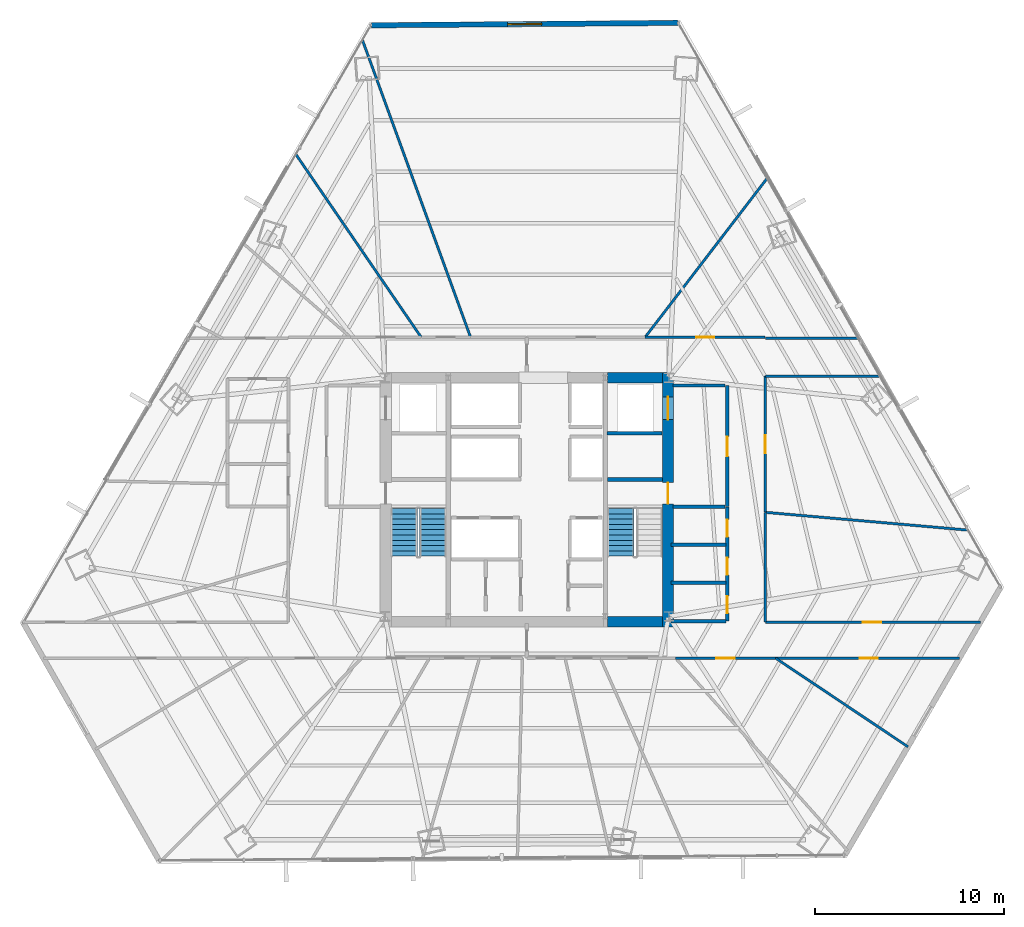
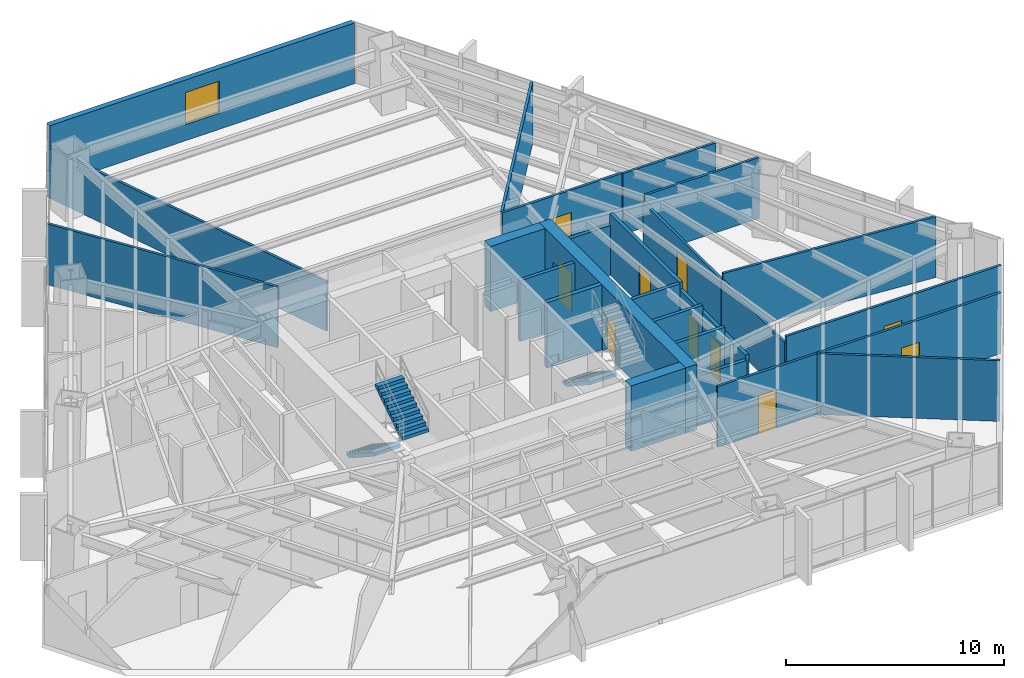
# One storey, part 32 of 36: 26 walls, 11 doors, 3 stair flights, 1 window, 12 openings, 2 elements without a shape of their own.
"""IFC4 building model written with IfcOpenShell, lengths in metres."""

from ifc_helpers import new_model, si_unit, direction, frame, frame_2d, origin, place, context, subcontext, project, spatial, polyline, rectangle, outline, extrude, material, layer, layer_set, type_object, element, fill, aggregate, save


model = new_model("IFC4")

# Units and contexts
model_context = context("Model", 3, precision=1e-05, world=origin(), true_north=direction((0.0, 1.0)))
body_context = subcontext(model_context, "Body", "Model", "MODEL_VIEW")
ifc_project = project(units=[si_unit("LENGTHUNIT", "METRE"), si_unit("AREAUNIT", "SQUARE_METRE"), si_unit("VOLUMEUNIT", "CUBIC_METRE"), si_unit("PLANEANGLEUNIT", "RADIAN"), si_unit("MASSUNIT", "GRAM", prefix="KILO")], contexts=[model_context])

# Site, building, storey
site_placement = place(None, origin())
site = spatial("IfcSite", under=ifc_project, at=site_placement, CompositionType="ELEMENT")
building_placement = place(site_placement, origin())
building = spatial("IfcBuilding", under=site, at=building_placement, Name="Caelisora Broadcast Tower", CompositionType="ELEMENT")
storey_placement = place(building_placement, frame((0.0, 0.0, 64.10009765625)))
storey = spatial("IfcBuildingStorey", under=building, at=storey_placement, Name="L16", CompositionType="ELEMENT", Elevation=64.10009765625)

# Wall, openings, doors
ifc_material_1 = material(Name="Concrete 65 MPa (AS 3600 S65)", Category="concrete")
ifc_layer_1 = layer(ifc_material_1, 0.60009765625, Name="Concrete 65 MPa (AS 3600 S65)")
ifc_layer_set_1 = layer_set([ifc_layer_1], Name="Concrete 65 MPa (AS 3600 S65)")
wall_type_1 = type_object("IfcWallType", Name="CW1", PredefinedType="SHEAR", material=ifc_layer_set_1)
wall_1_placement = place(storey_placement, frame((45.4599609375, 16.85009765625, 0.0), z_axis=(0.0, 0.0, 1.0), x_axis=(0.0, 1.0, 0.0)))
wall_1 = element("IfcWall", 1, at=wall_1_placement, inside=storey, type_object=wall_type_1, Name="L16 core shear wall CW1", PredefinedType="SHEAR", context=body_context, shape_type="SweptSolid", body=[
    extrude(rectangle(XDim=13.4248046875, YDim=0.60009765625, at=frame_2d((6.71240234375, 0.0))), origin(), (0.0, 0.0, 1.0), 3.64990234375),
])
opening_1_placement = place(wall_1_placement, frame((6.5, 0.0, 0.0)))
opening_1 = element("IfcOpeningElement", 2, at=opening_1_placement, cuts=wall_1, Name="Opening FD04", PredefinedType="OPENING", context=body_context, shape_type="SweptSolid", body=[
    extrude(rectangle(XDim=1.1201171875, YDim=2.14990234375, at=frame_2d((0.56005859375, 1.074951171875))), frame((0.0, 0.31201171875, 0.0), z_axis=(0.0, -1.0, 0.0), x_axis=(1.0, 0.0, 0.0)), (0.0, 0.0, 1.0), 0.6240234375),
])
opening_2_placement = place(wall_1_placement, frame((10.949951171875, 0.0, 0.0)))
opening_2 = element("IfcOpeningElement", 3, at=opening_2_placement, cuts=wall_1, Name="Opening LD04", PredefinedType="OPENING", context=body_context, shape_type="SweptSolid", body=[
    extrude(rectangle(XDim=1.199951171875, YDim=2.199951171875, at=frame_2d((0.60009765625, 1.10009765625))), frame((0.0, 0.31201171875, 0.0), z_axis=(0.0, -1.0, 0.0), x_axis=(1.0, 0.0, 0.0)), (0.0, 0.0, 1.0), 0.6240234375),
])
ifc_material_2 = material(Name="Pressurised Fire-Isolated Stair Door", Category="steel")
door_type_1 = type_object("IfcDoorType", Name="FD04", OperationType="NOTDEFINED", PredefinedType="DOOR", material=ifc_material_2)
door_1_placement = place(opening_1_placement, origin())
door_1 = element("IfcDoor", 4, at=door_1_placement, inside=storey, type_object=door_type_1, Name="L16 door FD04 (L16-DR-ST2)", OperationType="SINGLE_SWING_RIGHT", OverallHeight=2.14990234375, OverallWidth=1.1201171875, PredefinedType="DOOR", context=body_context, shape_type="SweptSolid", body=[
    extrude(rectangle(XDim=1.1201171875, YDim=2.14990234375, at=frame_2d((0.56005859375, 1.074951171875))), frame((0.0, 0.02490234375, 0.0), z_axis=(0.0, -1.0, 0.0), x_axis=(1.0, 0.0, 0.0)), (0.0, 0.0, 1.0), 0.050048828125),
])
fill(opening_1, door_1)
ifc_material_3 = material(Name="Emergency Firefighting Lift Sliding Landing Door", Category="steel")
door_type_2 = type_object("IfcDoorType", Name="LD04", OperationType="NOTDEFINED", PredefinedType="DOOR", material=ifc_material_3)
door_2_placement = place(opening_2_placement, origin())
door_2 = element("IfcDoor", 5, at=door_2_placement, inside=storey, type_object=door_type_2, Name="L16 door LD04 (L16-LD-FFL2)", OperationType="SLIDING_TO_RIGHT", OverallHeight=2.199951171875, OverallWidth=1.199951171875, PredefinedType="DOOR", context=body_context, shape_type="SweptSolid", body=[
    extrude(rectangle(XDim=1.199951171875, YDim=2.199951171875, at=frame_2d((0.60009765625, 1.10009765625))), frame((0.0, 0.02490234375, 0.0), z_axis=(0.0, -1.0, 0.0), x_axis=(1.0, 0.0, 0.0)), (0.0, 0.0, 1.0), 0.050048828125),
])
fill(opening_2, door_2)

# Walls
ifc_layer_2 = layer(ifc_material_1, 0.550048828125, Name="Concrete 65 MPa (AS 3600 S65)")
ifc_layer_set_2 = layer_set([ifc_layer_2], Name="Concrete 65 MPa (AS 3600 S65)")
wall_type_2 = type_object("IfcWallType", Name="CW4", PredefinedType="SHEAR", material=ifc_layer_set_2)
for number, where, z_axis, x_axis, name in (
    (6, (42.260009765625, 17.125, 0.0), (0.0, 0.0, 1.0), (1.0, 0.0, 0.0), "L16 core shear wall CW4"),
    (7, (42.260009765625, 30.0, 0.0), (0.0, 0.0, 1.0), (1.0, 0.0, 0.0), "L16 core shear wall CW4"),
):
    element("IfcWall", number, at=place(storey_placement, frame(where, z_axis=z_axis, x_axis=x_axis)), inside=storey, type_object=wall_type_2, Name=name, PredefinedType="SHEAR", context=body_context, shape_type="SweptSolid", body=[
        extrude(rectangle(XDim=2.89990234375, YDim=0.550048828125, at=frame_2d((1.449951171875, 0.0))), origin(), (0.0, 0.0, 1.0), 3.64990234375),
    ])
ifc_material_4 = material(Name="Concrete 50 MPa (AS 3600 S50)", Category="concrete")
ifc_layer_3 = layer(ifc_material_4, 0.219970703125, Name="Concrete 50 MPa (AS 3600 S50)")
ifc_layer_set_3 = layer_set([ifc_layer_3], Name="Concrete 50 MPa (AS 3600 S50)")
wall_type_3 = type_object("IfcWallType", Name="CW7", PredefinedType="SHEAR", material=ifc_layer_set_3)
wall_2_placement = place(storey_placement, frame((42.260009765625, 24.639892578125, 0.0), z_axis=(0.0, 0.0, 1.0), x_axis=(1.0, 0.0, 0.0)))
element("IfcWall", 8, at=wall_2_placement, inside=storey, type_object=wall_type_3, Name="L16 core shear wall CW7", PredefinedType="SHEAR", context=body_context, shape_type="SweptSolid", body=[
    extrude(rectangle(XDim=2.89990234375, YDim=0.219970703125, at=frame_2d((1.449951171875, 0.0))), origin(), (0.0, 0.0, 1.0), 3.64990234375),
])

# Wall, opening, window
ifc_material_5 = material(Name="Insulated Terracotta Spandrel Wall System", Category="masonry")
ifc_layer_4 = layer(ifc_material_5, 0.280029296875, Name="Insulated Terracotta Spandrel Wall System")
ifc_layer_set_4 = layer_set([ifc_layer_4], Name="Insulated Terracotta Spandrel Wall System")
wall_type_4 = type_object("IfcWallType", Name="EW1", PredefinedType="STANDARD", material=ifc_layer_set_4)
wall_3_placement = place(storey_placement, frame((29.798095703125, 48.628173828125, 0.0), z_axis=(0.0, 0.0, 1.0), x_axis=(0.999968373243, 0.007953144877, 0.0)))
wall_3 = element("IfcWall", 9, at=wall_3_placement, inside=storey, type_object=wall_type_4, Name="L16 exterior envelope wall EW1", PredefinedType="STANDARD", context=body_context, shape_type="SweptSolid", body=[
    extrude(rectangle(XDim=16.177490234375, YDim=0.280029296875, at=frame_2d((8.0888671875, 0.0))), origin(), (0.0, 0.0, 1.0), 3.39990234375),
])
opening_3_placement = place(wall_3_placement, frame((7.18994140625, 0.0, 0.89990234375)))
opening_3 = element("IfcOpeningElement", 10, at=opening_3_placement, cuts=wall_3, Name="Opening W01", PredefinedType="OPENING", context=body_context, shape_type="SweptSolid", body=[
    extrude(rectangle(XDim=1.800048828125, YDim=1.800048828125, at=frame_2d((0.89990234375, 0.89990234375))), frame((0.0, 0.152099609375, 0.0), z_axis=(0.0, -1.0, 0.0), x_axis=(1.0, 0.0, 0.0)), (0.0, 0.0, 1.0), 0.303955078125),
])
ifc_material_6 = material(Name="Double Glazed Terracotta-Framed Vision Window", Category="glass")
window_type = type_object("IfcWindowType", Name="W01", PartitioningType="SINGLE_PANEL", PredefinedType="WINDOW", material=ifc_material_6)
window_placement = place(opening_3_placement, origin())
window = element("IfcWindow", 11, at=window_placement, inside=storey, type_object=window_type, Name="L16 window W01 (L16-WN-CH8)", OverallHeight=1.800048828125, OverallWidth=1.800048828125, PartitioningType="SINGLE_PANEL", PredefinedType="WINDOW", context=body_context, shape_type="SweptSolid", body=[
    extrude(rectangle(XDim=1.800048828125, YDim=1.800048828125, at=frame_2d((0.89990234375, 0.89990234375))), frame((0.0, 0.030029296875, 0.0), z_axis=(0.0, -1.0, 0.0), x_axis=(1.0, 0.0, 0.0)), (0.0, 0.0, 1.0), 0.06005859375),
])
fill(opening_3, window)

# Wall, opening, door
ifc_material_7 = material(Name="Fire-Rated Gypsum Shaft and Compartment Wall", Category="gypsum")
ifc_layer_5 = layer(ifc_material_7, 0.179931640625, Name="Fire-Rated Gypsum Shaft and Compartment Wall")
ifc_layer_set_5 = layer_set([ifc_layer_5], Name="Fire-Rated Gypsum Shaft and Compartment Wall")
wall_type_5 = type_object("IfcWallType", Name="PW2", PredefinedType="PARTITIONING", material=ifc_layer_set_5)
wall_4_placement = place(storey_placement, frame((48.580078125, 23.199951171875, 0.0), z_axis=(0.0, 0.0, 1.0), x_axis=(0.0, 1.0, 0.0)))
wall_4 = element("IfcWall", 12, at=wall_4_placement, inside=storey, type_object=wall_type_5, Name="L16 fire compartment wall PW2", PredefinedType="PARTITIONING", context=body_context, shape_type="SweptSolid", body=[
    extrude(rectangle(XDim=6.400146484375, YDim=0.179931640625, at=frame_2d((3.2001953125, 0.0))), origin(), (0.0, 0.0, 1.0), 3.39990234375),
])
opening_4_placement = place(wall_4_placement, frame((2.64990234375, 0.0, 0.0)))
opening_4 = element("IfcOpeningElement", 13, at=opening_4_placement, cuts=wall_4, Name="Opening FD02", PredefinedType="OPENING", context=body_context, shape_type="SweptSolid", body=[
    extrude(rectangle(XDim=1.050048828125, YDim=2.14990234375, at=frame_2d((0.52490234375, 1.074951171875))), frame((0.0, 0.10205078125, 0.0), z_axis=(0.0, -1.0, 0.0), x_axis=(1.0, 0.0, 0.0)), (0.0, 0.0, 1.0), 0.203857421875),
])
ifc_material_8 = material(Name="Single-Leaf Steel Fire Lobby Door", Category="steel")
door_type_3 = type_object("IfcDoorType", Name="FD02", OperationType="NOTDEFINED", PredefinedType="DOOR", material=ifc_material_8)
door_3_placement = place(opening_4_placement, origin())
door_3 = element("IfcDoor", 14, at=door_3_placement, inside=storey, type_object=door_type_3, Name="L16 door FD02 (L16-DR-P04D1)", OperationType="SINGLE_SWING_LEFT", OverallHeight=2.14990234375, OverallWidth=1.050048828125, PredefinedType="DOOR", context=body_context, shape_type="SweptSolid", body=[
    extrude(rectangle(XDim=1.050048828125, YDim=2.14990234375, at=frame_2d((0.52490234375, 1.074951171875))), frame((0.0, 0.02490234375, 0.0), z_axis=(0.0, -1.0, 0.0), x_axis=(1.0, 0.0, 0.0)), (0.0, 0.0, 1.0), 0.050048828125),
])
fill(opening_4, door_3)

# Walls
wall_5_placement = place(storey_placement, frame((45.719970703125, 23.199951171875, 0.0), z_axis=(0.0, 0.0, 1.0), x_axis=(1.0, 0.0, 0.0)))
element("IfcWall", 15, at=wall_5_placement, inside=storey, type_object=wall_type_5, Name="L16 fire compartment wall PW2", PredefinedType="PARTITIONING", context=body_context, shape_type="SweptSolid", body=[
    extrude(rectangle(XDim=2.760009765625, YDim=0.179931640625, at=frame_2d((1.3798828125, 0.0))), origin(), (0.0, 0.0, 1.0), 3.39990234375),
])
wall_6_placement = place(storey_placement, frame((45.719970703125, 29.60009765625, 0.0), z_axis=(0.0, 0.0, 1.0), x_axis=(1.0, 0.0, 0.0)))
element("IfcWall", 16, at=wall_6_placement, inside=storey, type_object=wall_type_5, Name="L16 fire compartment wall PW2", PredefinedType="PARTITIONING", context=body_context, shape_type="SweptSolid", body=[
    extrude(rectangle(XDim=2.760009765625, YDim=0.179931640625, at=frame_2d((1.3798828125, 0.0))), origin(), (0.0, 0.0, 1.0), 2.78271484375),
])
for number, where, z_axis, x_axis, name in (
    (17, (42.239990234375, 27.070068359375, 0.0), (0.0, 0.0, 1.0), (1.0, 0.0, 0.0), "L16 fire compartment wall PW2"),
    (18, (45.6201171875, 19.169921875, 0.0), (0.0, 0.0, 1.0), (1.0, 0.0, 0.0), "L16 fire compartment wall PW2"),
    (19, (45.6201171875, 21.18994140625, 0.0), (0.0, 0.0, 1.0), (1.0, 0.0, 0.0), "L16 fire compartment wall PW2"),
):
    element("IfcWall", number, at=place(storey_placement, frame(where, z_axis=z_axis, x_axis=x_axis)), inside=storey, type_object=wall_type_5, Name=name, PredefinedType="PARTITIONING", context=body_context, shape_type="SweptSolid", body=[
        extrude(rectangle(XDim=2.89990234375, YDim=0.179931640625, at=frame_2d((1.449951171875, 0.0))), origin(), (0.0, 0.0, 1.0), 3.39990234375),
    ])

# Wall, openings, doors
wall_7_placement = place(storey_placement, frame((48.580078125, 17.14990234375, 0.0), z_axis=(0.0, 0.0, 1.0), x_axis=(0.0, 1.0, 0.0)))
wall_7 = element("IfcWall", 20, at=wall_7_placement, inside=storey, type_object=wall_type_5, Name="L16 fire compartment wall PW2", PredefinedType="PARTITIONING", context=body_context, shape_type="SweptSolid", body=[
    extrude(rectangle(XDim=6.030029296875, YDim=0.179931640625, at=frame_2d((3.01513671875, 0.0))), origin(), (0.0, 0.0, 1.0), 3.0263671875),
])
opening_5_placement = place(wall_7_placement, frame((0.419921875, 0.0, 0.0)))
opening_5 = element("IfcOpeningElement", 21, at=opening_5_placement, cuts=wall_7, Name="Opening FD03", PredefinedType="OPENING", context=body_context, shape_type="SweptSolid", body=[
    extrude(rectangle(XDim=0.89990234375, YDim=2.10009765625, at=frame_2d((0.449951171875, 1.050048828125))), frame((0.0, 0.10205078125, 0.0), z_axis=(0.0, -1.0, 0.0), x_axis=(1.0, 0.0, 0.0)), (0.0, 0.0, 1.0), 0.203857421875),
])
opening_6_placement = place(wall_7_placement, frame((2.43994140625, 0.0, 0.0)))
opening_6 = element("IfcOpeningElement", 22, at=opening_6_placement, cuts=wall_7, Name="Opening FD03", PredefinedType="OPENING", context=body_context, shape_type="SweptSolid", body=[
    extrude(rectangle(XDim=0.89990234375, YDim=2.10009765625, at=frame_2d((0.449951171875, 1.050048828125))), frame((0.0, 0.10205078125, 0.0), z_axis=(0.0, -1.0, 0.0), x_axis=(1.0, 0.0, 0.0)), (0.0, 0.0, 1.0), 0.203857421875),
])
opening_7_placement = place(wall_7_placement, frame((4.4599609375, 0.0, 0.0)))
opening_7 = element("IfcOpeningElement", 23, at=opening_7_placement, cuts=wall_7, Name="Opening FD03", PredefinedType="OPENING", context=body_context, shape_type="SweptSolid", body=[
    extrude(rectangle(XDim=0.89990234375, YDim=2.10009765625, at=frame_2d((0.449951171875, 1.050048828125))), frame((0.0, 0.10205078125, 0.0), z_axis=(0.0, -1.0, 0.0), x_axis=(1.0, 0.0, 0.0)), (0.0, 0.0, 1.0), 0.203857421875),
])
ifc_material_9 = material(Name="Single-Leaf Steel Riser Fire Access Door", Category="steel")
door_type_4 = type_object("IfcDoorType", Name="FD03", OperationType="NOTDEFINED", PredefinedType="DOOR", material=ifc_material_9)
door_4_placement = place(opening_5_placement, origin())
door_4 = element("IfcDoor", 24, at=door_4_placement, inside=storey, type_object=door_type_4, Name="L16 door FD03 (L16-DR-P17D1)", OperationType="SINGLE_SWING_RIGHT", OverallHeight=2.10009765625, OverallWidth=0.89990234375, PredefinedType="DOOR", context=body_context, shape_type="SweptSolid", body=[
    extrude(rectangle(XDim=0.89990234375, YDim=2.10009765625, at=frame_2d((0.449951171875, 1.050048828125))), frame((0.0, 0.02490234375, 0.0), z_axis=(0.0, -1.0, 0.0), x_axis=(1.0, 0.0, 0.0)), (0.0, 0.0, 1.0), 0.050048828125),
])
fill(opening_5, door_4)
door_5_placement = place(opening_6_placement, origin())
door_5 = element("IfcDoor", 25, at=door_5_placement, inside=storey, type_object=door_type_4, Name="L16 door FD03 (L16-DR-P17D2)", OperationType="SINGLE_SWING_LEFT", OverallHeight=2.10009765625, OverallWidth=0.89990234375, PredefinedType="DOOR", context=body_context, shape_type="SweptSolid", body=[
    extrude(rectangle(XDim=0.89990234375, YDim=2.10009765625, at=frame_2d((0.449951171875, 1.050048828125))), frame((0.0, 0.02490234375, 0.0), z_axis=(0.0, -1.0, 0.0), x_axis=(1.0, 0.0, 0.0)), (0.0, 0.0, 1.0), 0.050048828125),
])
fill(opening_6, door_5)
door_6_placement = place(opening_7_placement, origin())
door_6 = element("IfcDoor", 26, at=door_6_placement, inside=storey, type_object=door_type_4, Name="L16 door FD03 (L16-DR-P17D3)", OperationType="SINGLE_SWING_RIGHT", OverallHeight=2.10009765625, OverallWidth=0.89990234375, PredefinedType="DOOR", context=body_context, shape_type="SweptSolid", body=[
    extrude(rectangle(XDim=0.89990234375, YDim=2.10009765625, at=frame_2d((0.449951171875, 1.050048828125))), frame((0.0, 0.02490234375, 0.0), z_axis=(0.0, -1.0, 0.0), x_axis=(1.0, 0.0, 0.0)), (0.0, 0.0, 1.0), 0.050048828125),
])
fill(opening_7, door_6)

# Walls
wall_8_placement = place(storey_placement, frame((45.6201171875, 17.14990234375, 0.0), z_axis=(0.0, 0.0, 1.0), x_axis=(1.0, 0.0, 0.0)))
element("IfcWall", 27, at=wall_8_placement, inside=storey, type_object=wall_type_5, Name="L16 fire compartment wall PW2", PredefinedType="PARTITIONING", context=body_context, shape_type="SweptSolid", body=[
    extrude(rectangle(XDim=2.89990234375, YDim=0.179931640625, at=frame_2d((1.449951171875, 0.0))), origin(), (0.0, 0.0, 1.0), 2.78271484375),
])
ifc_material_10 = material(Name="Acoustic Steel-Stud Plasterboard Partition", Category="gypsum")
ifc_layer_6 = layer(ifc_material_10, 0.1298828125, Name="Acoustic Steel-Stud Plasterboard Partition")
ifc_layer_set_6 = layer_set([ifc_layer_6], Name="Acoustic Steel-Stud Plasterboard Partition")
wall_type_6 = type_object("IfcWallType", Name="PW3", PredefinedType="PARTITIONING", material=ifc_layer_set_6)
wall_9_placement = place(storey_placement, frame((29.314208984375, 47.8583984375, 0.0), z_axis=(0.0, 0.0, 1.0), x_axis=(0.341930745852, -0.93972515399, 0.0)))
element("IfcWall", 28, at=wall_9_placement, inside=storey, type_object=wall_type_6, Name="L16 internal partition PW3", PredefinedType="PARTITIONING", context=body_context, shape_type="SweptSolid", body=[
    extrude(rectangle(XDim=16.710693359375, YDim=0.1298828125, at=frame_2d((8.35546875, 0.0))), origin(), (0.0, 0.0, 1.0), 2.78271484375),
])
wall_10_placement = place(storey_placement, frame((25.798095703125, 41.815185546875, 0.0), z_axis=(0.0, 0.0, 1.0), x_axis=(0.565186777451, -0.824962972863, 0.0)))
element("IfcWall", 29, at=wall_10_placement, inside=storey, type_object=wall_type_6, Name="L16 internal partition PW3", PredefinedType="PARTITIONING", context=body_context, shape_type="SweptSolid", body=[
    extrude(rectangle(XDim=11.7109375, YDim=0.1298828125, at=frame_2d((5.85546875, 0.0))), origin(), (0.0, 0.0, 1.0), 3.39990234375),
])

# Wall, opening, door
wall_11_placement = place(storey_placement, frame((61.97021484375, 17.10009765625, 0.0), z_axis=(0.0, 0.0, 1.0), x_axis=(-1.0, 0.0, 0.0)))
wall_11 = element("IfcWall", 30, at=wall_11_placement, inside=storey, type_object=wall_type_6, Name="L16 internal partition PW3", PredefinedType="PARTITIONING", context=body_context, shape_type="SweptSolid", body=[
    extrude(rectangle(XDim=11.365234375, YDim=0.1298828125, at=frame_2d((5.6826171875, 0.0))), origin(), (0.0, 0.0, 1.0), 3.39990234375),
])
opening_8_placement = place(wall_11_placement, frame((5.258056640625, 0.0, 0.0)))
opening_8 = element("IfcOpeningElement", 31, at=opening_8_placement, cuts=wall_11, Name="Opening D01", PredefinedType="OPENING", context=body_context, shape_type="SweptSolid", body=[
    extrude(rectangle(XDim=0.9599609375, YDim=2.14990234375, at=frame_2d((0.47998046875, 1.074951171875))), frame((0.0, 0.076904296875, 0.0), z_axis=(0.0, -1.0, 0.0), x_axis=(1.0, 0.0, 0.0)), (0.0, 0.0, 1.0), 0.15380859375),
])
ifc_material_11 = material(Name="Solid-Core Timber Acoustic Office Door", Category="wood")
door_type_5 = type_object("IfcDoorType", Name="D01", OperationType="NOTDEFINED", PredefinedType="DOOR", material=ifc_material_11)
door_7_placement = place(opening_8_placement, origin())
door_7 = element("IfcDoor", 32, at=door_7_placement, inside=storey, type_object=door_type_5, Name="L16 door D01 (L16-DR-P36D1)", OperationType="SINGLE_SWING_RIGHT", OverallHeight=2.14990234375, OverallWidth=0.9599609375, PredefinedType="DOOR", context=body_context, shape_type="SweptSolid", body=[
    extrude(rectangle(XDim=0.9599609375, YDim=2.14990234375, at=frame_2d((0.47998046875, 1.074951171875))), frame((0.0, 0.02490234375, 0.0), z_axis=(0.0, -1.0, 0.0), x_axis=(1.0, 0.0, 0.0)), (0.0, 0.0, 1.0), 0.050048828125),
])
fill(opening_8, door_7)

# Walls
wall_12_placement = place(storey_placement, frame((50.60498046875, 22.89990234375, 0.0), z_axis=(0.0, 0.0, 1.0), x_axis=(0.996172816794, -0.087405486558, 0.0)))
element("IfcWall", 33, at=wall_12_placement, inside=storey, type_object=wall_type_6, Name="L16 internal partition PW3", PredefinedType="PARTITIONING", context=body_context, shape_type="SweptSolid", body=[
    extrude(rectangle(XDim=10.75390625, YDim=0.1298828125, at=frame_2d((5.376953125, 0.0))), origin(), (0.0, 0.0, 1.0), 3.39990234375),
])
wall_13_placement = place(storey_placement, frame((44.2529296875, 32.154052734375, 0.0), z_axis=(0.0, 0.0, 1.0), x_axis=(0.608962576695, 0.793198953722, 0.0)))
element("IfcWall", 34, at=wall_13_placement, inside=storey, type_object=wall_type_6, Name="L16 internal partition PW3", PredefinedType="PARTITIONING", context=body_context, shape_type="SweptSolid", body=[
    extrude(rectangle(XDim=10.585205078125, YDim=0.1298828125, at=frame_2d((5.29248046875, 0.0))), origin(), (0.0, 0.0, 1.0), 3.39990234375),
])

# Wall, opening, door
wall_14_placement = place(storey_placement, frame((51.14501953125, 15.199951171875, 0.0), z_axis=(0.0, 0.0, 1.0), x_axis=(1.0, 0.0, 0.0)))
wall_14 = element("IfcWall", 35, at=wall_14_placement, inside=storey, type_object=wall_type_6, Name="L16 internal partition PW3", PredefinedType="PARTITIONING", context=body_context, shape_type="SweptSolid", body=[
    extrude(rectangle(XDim=9.7197265625, YDim=0.1298828125, at=frame_2d((4.85986328125, 0.0))), origin(), (0.0, 0.0, 1.0), 3.39990234375),
])
opening_9_placement = place(wall_14_placement, frame((4.431884765625, 0.0, 0.0)))
opening_9 = element("IfcOpeningElement", 36, at=opening_9_placement, cuts=wall_14, Name="Opening D01", PredefinedType="OPENING", context=body_context, shape_type="SweptSolid", body=[
    extrude(rectangle(XDim=0.9599609375, YDim=2.14990234375, at=frame_2d((0.47998046875, 1.074951171875))), frame((0.0, 0.076904296875, 0.0), z_axis=(0.0, -1.0, 0.0), x_axis=(1.0, 0.0, 0.0)), (0.0, 0.0, 1.0), 0.15380859375),
])
door_8_placement = place(opening_9_placement, origin())
door_8 = element("IfcDoor", 37, at=door_8_placement, inside=storey, type_object=door_type_5, Name="L16 door D01 (L16-DR-P45D1)", OperationType="SINGLE_SWING_LEFT", OverallHeight=2.14990234375, OverallWidth=0.9599609375, PredefinedType="DOOR", context=body_context, shape_type="SweptSolid", body=[
    extrude(rectangle(XDim=0.9599609375, YDim=2.14990234375, at=frame_2d((0.47998046875, 1.074951171875))), frame((0.0, 0.02490234375, 0.0), z_axis=(0.0, -1.0, 0.0), x_axis=(1.0, 0.0, 0.0)), (0.0, 0.0, 1.0), 0.050048828125),
])
fill(opening_9, door_8)

# Wall
wall_15_placement = place(storey_placement, frame((51.14404296875, 15.197021484375, 0.0), z_axis=(0.0, 0.0, 1.0), x_axis=(0.830977809687, -0.556305563344, 0.0)))
element("IfcWall", 38, at=wall_15_placement, inside=storey, type_object=wall_type_6, Name="L16 internal partition PW3", PredefinedType="PARTITIONING", context=body_context, shape_type="SweptSolid", body=[
    extrude(rectangle(XDim=8.417236328125, YDim=0.1298828125, at=frame_2d((4.20849609375, 0.0))), origin(), (0.0, 0.0, 1.0), 3.39990234375),
])

# Wall, opening, door
wall_16_placement = place(storey_placement, frame((50.60009765625, 22.905029296875, 0.0), z_axis=(0.0, 0.0, 1.0), x_axis=(0.0, 1.0, 0.0)))
wall_16 = element("IfcWall", 39, at=wall_16_placement, inside=storey, type_object=wall_type_6, Name="L16 internal partition PW3", PredefinedType="PARTITIONING", context=body_context, shape_type="SweptSolid", body=[
    extrude(rectangle(XDim=7.18994140625, YDim=0.1298828125, at=frame_2d((3.594970703125, 0.0))), origin(), (0.0, 0.0, 1.0), 3.0263671875),
])
opening_10_placement = place(wall_16_placement, frame((3.114990234375, 0.0, 0.0)))
opening_10 = element("IfcOpeningElement", 40, at=opening_10_placement, cuts=wall_16, Name="Opening D01", PredefinedType="OPENING", context=body_context, shape_type="SweptSolid", body=[
    extrude(rectangle(XDim=0.9599609375, YDim=2.14990234375, at=frame_2d((0.47998046875, 1.074951171875))), frame((0.0, 0.076904296875, 0.0), z_axis=(0.0, -1.0, 0.0), x_axis=(1.0, 0.0, 0.0)), (0.0, 0.0, 1.0), 0.15380859375),
])
door_9_placement = place(opening_10_placement, origin())
door_9 = element("IfcDoor", 41, at=door_9_placement, inside=storey, type_object=door_type_5, Name="L16 door D01 (L16-DR-P49D1)", OperationType="SINGLE_SWING_RIGHT", OverallHeight=2.14990234375, OverallWidth=0.9599609375, PredefinedType="DOOR", context=body_context, shape_type="SweptSolid", body=[
    extrude(rectangle(XDim=0.9599609375, YDim=2.14990234375, at=frame_2d((0.47998046875, 1.074951171875))), frame((0.0, 0.02490234375, 0.0), z_axis=(0.0, -1.0, 0.0), x_axis=(1.0, 0.0, 0.0)), (0.0, 0.0, 1.0), 0.050048828125),
])
fill(opening_10, door_9)

wall_17_placement = place(storey_placement, frame((44.2548828125, 32.14990234375, 0.0), z_axis=(0.0, 0.0, 1.0), x_axis=(1.0, 0.0, 0.0)))
wall_17 = element("IfcWall", 42, at=wall_17_placement, inside=storey, type_object=wall_type_6, Name="L16 internal partition PW3", PredefinedType="PARTITIONING", context=body_context, shape_type="SweptSolid", body=[
    extrude(rectangle(XDim=6.340087890625, YDim=0.1298828125, at=frame_2d((3.169921875, 0.0))), origin(), (0.0, 0.0, 1.0), 3.39990234375),
])
opening_11_placement = place(wall_17_placement, frame((2.68994140625, 0.0, 0.0)))
opening_11 = element("IfcOpeningElement", 43, at=opening_11_placement, cuts=wall_17, Name="Opening D01", PredefinedType="OPENING", context=body_context, shape_type="SweptSolid", body=[
    extrude(rectangle(XDim=0.9599609375, YDim=2.14990234375, at=frame_2d((0.47998046875, 1.074951171875))), frame((0.0, 0.076904296875, 0.0), z_axis=(0.0, -1.0, 0.0), x_axis=(1.0, 0.0, 0.0)), (0.0, 0.0, 1.0), 0.15380859375),
])
door_10_placement = place(opening_11_placement, origin())
door_10 = element("IfcDoor", 44, at=door_10_placement, inside=storey, type_object=door_type_5, Name="L16 door D01 (L16-DR-P52D1)", OperationType="SINGLE_SWING_LEFT", OverallHeight=2.14990234375, OverallWidth=0.9599609375, PredefinedType="DOOR", context=body_context, shape_type="SweptSolid", body=[
    extrude(rectangle(XDim=0.9599609375, YDim=2.14990234375, at=frame_2d((0.47998046875, 1.074951171875))), frame((0.0, 0.02490234375, 0.0), z_axis=(0.0, -1.0, 0.0), x_axis=(1.0, 0.0, 0.0)), (0.0, 0.0, 1.0), 0.050048828125),
])
fill(opening_11, door_10)

# Walls
wall_18_placement = place(storey_placement, frame((50.60498046875, 30.10009765625, 0.0), z_axis=(0.0, 0.0, 1.0), x_axis=(1.0, 0.0, 0.0)))
element("IfcWall", 45, at=wall_18_placement, inside=storey, type_object=wall_type_6, Name="L16 internal partition PW3", PredefinedType="PARTITIONING", context=body_context, shape_type="SweptSolid", body=[
    extrude(rectangle(XDim=6.06298828125, YDim=0.1298828125, at=frame_2d((3.031494140625, 0.0))), origin(), (0.0, 0.0, 1.0), 3.39990234375),
])
wall_19_placement = place(storey_placement, frame((50.60009765625, 17.10498046875, 0.0), z_axis=(0.0, 0.0, 1.0), x_axis=(0.0, 1.0, 0.0)))
element("IfcWall", 46, at=wall_19_placement, inside=storey, type_object=wall_type_6, Name="L16 internal partition PW3", PredefinedType="PARTITIONING", context=body_context, shape_type="SweptSolid", body=[
    extrude(rectangle(XDim=5.7900390625, YDim=0.1298828125, at=frame_2d((2.89501953125, 0.0))), origin(), (0.0, 0.0, 1.0), 3.0263671875),
])

# Wall, opening, door
wall_20_placement = place(storey_placement, frame((45.864990234375, 15.199951171875, 0.0), z_axis=(0.0, 0.0, 1.0), x_axis=(1.0, 0.0, 0.0)))
wall_20 = element("IfcWall", 47, at=wall_20_placement, inside=storey, type_object=wall_type_6, Name="L16 internal partition PW3", PredefinedType="PARTITIONING", context=body_context, shape_type="SweptSolid", body=[
    extrude(rectangle(XDim=5.27001953125, YDim=0.1298828125, at=frame_2d((2.635009765625, 0.0))), origin(), (0.0, 0.0, 1.0), 3.39990234375),
])
opening_12_placement = place(wall_20_placement, frame((2.155029296875, 0.0, 0.0)))
opening_12 = element("IfcOpeningElement", 48, at=opening_12_placement, cuts=wall_20, Name="Opening D01", PredefinedType="OPENING", context=body_context, shape_type="SweptSolid", body=[
    extrude(rectangle(XDim=0.9599609375, YDim=2.14990234375, at=frame_2d((0.47998046875, 1.074951171875))), frame((0.0, 0.076904296875, 0.0), z_axis=(0.0, -1.0, 0.0), x_axis=(1.0, 0.0, 0.0)), (0.0, 0.0, 1.0), 0.15380859375),
])
door_11_placement = place(opening_12_placement, origin())
door_11 = element("IfcDoor", 49, at=door_11_placement, inside=storey, type_object=door_type_5, Name="L16 door D01 (L16-DR-P57D1)", OperationType="SINGLE_SWING_RIGHT", OverallHeight=2.14990234375, OverallWidth=0.9599609375, PredefinedType="DOOR", context=body_context, shape_type="SweptSolid", body=[
    extrude(rectangle(XDim=0.9599609375, YDim=2.14990234375, at=frame_2d((0.47998046875, 1.074951171875))), frame((0.0, 0.02490234375, 0.0), z_axis=(0.0, -1.0, 0.0), x_axis=(1.0, 0.0, 0.0)), (0.0, 0.0, 1.0), 0.050048828125),
])
fill(opening_12, door_11)

# Wall
wall_21_placement = place(storey_placement, frame((50.60498046875, 32.10009765625, 0.0), z_axis=(0.0, 0.0, 1.0), x_axis=(1.0, 0.0, 0.0)))
element("IfcWall", 50, at=wall_21_placement, inside=storey, type_object=wall_type_6, Name="L16 internal partition PW3", PredefinedType="PARTITIONING", context=body_context, shape_type="SweptSolid", body=[
    extrude(rectangle(XDim=4.920654296875, YDim=0.1298828125, at=frame_2d((2.46044921875, 0.0))), origin(), (0.0, 0.0, 1.0), 3.39990234375),
])

# Stair, stair flights
ifc_material_12 = material(Name="Concrete 40 MPa (AS 3600 N40)", Category="concrete")
stair_type_1 = type_object("IfcStairType", Name="ST-1", PredefinedType="HALF_TURN_STAIR", material=ifc_material_12)
stair_1_placement = place(storey_placement, origin())
stair_1 = element("IfcStair", 51, at=stair_1_placement, inside=storey, type_object=stair_type_1, Name="L16 West Fire-Isolated Tower Stair", PredefinedType="HALF_TURN_STAIR")
stair_flight_type = type_object("IfcStairFlightType", Name="STF-2", PredefinedType="STRAIGHT", material=ifc_material_12)
stair_flight_1_placement = place(storey_placement, frame((31.52001953125, 23.10009765625, 0.0), z_axis=(0.0, 0.0, 1.0), x_axis=(0.0, -1.0, 0.0)))
stair_flight_1 = element("IfcStairFlight", 52, at=stair_flight_1_placement, type_object=stair_flight_type, Name="ST-1 flight 1", NumberOfRisers=10, NumberOfTreads=9, PredefinedType="STRAIGHT", RiserHeight=0.1825, TreadLength=0.28, context=body_context, shape_type="SweptSolid", body=[
    extrude(outline(polyline([(0.0, 0.0), (0.0, 0.1826171875), (0.280029296875, 0.1826171875), (0.280029296875, 0.364990234375), (0.56005859375, 0.364990234375), (0.56005859375, 0.547607421875), (0.840087890625, 0.547607421875), (0.840087890625, 0.72998046875), (1.1201171875, 0.72998046875), (1.1201171875, 0.91259765625), (1.39990234375, 0.91259765625), (1.39990234375, 1.094970703125), (1.679931640625, 1.094970703125), (1.679931640625, 1.277587890625), (1.9599609375, 1.277587890625), (1.9599609375, 1.4599609375), (2.239990234375, 1.4599609375), (2.239990234375, 1.642578125), (2.52001953125, 1.642578125), (2.52001953125, 1.824951171875), (2.52001953125, 1.463623046875), (0.2744140625, 0.0), (0.0, 0.0)])), frame((0.0, 0.699951171875, 0.0), z_axis=(0.0, -1.0, 0.0), x_axis=(1.0, 0.0, 0.0)), (0.0, 0.0, 1.0), 1.39990234375),
])
stair_flight_2_placement = place(storey_placement, frame((33.0400390625, 20.580078125, 1.824951171875), z_axis=(0.0, 0.0, 1.0), x_axis=(0.0, 1.0, 0.0)))
stair_flight_2 = element("IfcStairFlight", 53, at=stair_flight_2_placement, type_object=stair_flight_type, Name="ST-1 flight 2", NumberOfRisers=10, NumberOfTreads=9, PredefinedType="STRAIGHT", RiserHeight=0.1825, TreadLength=0.28, context=body_context, shape_type="SweptSolid", body=[
    extrude(outline(polyline([(0.0, 0.0), (0.0, 0.1826171875), (0.280029296875, 0.1826171875), (0.280029296875, 0.364990234375), (0.56005859375, 0.364990234375), (0.56005859375, 0.547607421875), (0.840087890625, 0.547607421875), (0.840087890625, 0.72998046875), (1.1201171875, 0.72998046875), (1.1201171875, 0.91259765625), (1.39990234375, 0.91259765625), (1.39990234375, 1.094970703125), (1.679931640625, 1.094970703125), (1.679931640625, 1.277587890625), (1.9599609375, 1.277587890625), (1.9599609375, 1.4599609375), (2.239990234375, 1.4599609375), (2.239990234375, 1.642578125), (2.52001953125, 1.642578125), (2.52001953125, 1.824951171875), (2.52001953125, 1.463623046875), (0.2744140625, 0.0), (0.0, 0.0)])), frame((0.0, 0.699951171875, 0.0), z_axis=(0.0, -1.0, 0.0), x_axis=(1.0, 0.0, 0.0)), (0.0, 0.0, 1.0), 1.39990234375),
])
aggregate(stair_1, [stair_flight_1, stair_flight_2])

# Stair, stair flight
stair_type_2 = type_object("IfcStairType", Name="ST-2", PredefinedType="HALF_TURN_STAIR", material=ifc_material_12)
stair_2_placement = place(storey_placement, origin())
stair_2 = element("IfcStair", 54, at=stair_2_placement, inside=storey, type_object=stair_type_2, Name="L16 East Fire-Isolated Tower Stair", PredefinedType="HALF_TURN_STAIR")
stair_flight_3_placement = place(storey_placement, frame((42.9599609375, 23.10009765625, 0.0), z_axis=(0.0, 0.0, 1.0), x_axis=(0.0, -1.0, 0.0)))
stair_flight_3 = element("IfcStairFlight", 55, at=stair_flight_3_placement, type_object=stair_flight_type, Name="ST-2 flight 1", NumberOfRisers=10, NumberOfTreads=9, PredefinedType="STRAIGHT", RiserHeight=0.1825, TreadLength=0.28, context=body_context, shape_type="SweptSolid", body=[
    extrude(outline(polyline([(0.0, 0.0), (0.0, 0.1826171875), (0.280029296875, 0.1826171875), (0.280029296875, 0.364990234375), (0.56005859375, 0.364990234375), (0.56005859375, 0.547607421875), (0.840087890625, 0.547607421875), (0.840087890625, 0.72998046875), (1.1201171875, 0.72998046875), (1.1201171875, 0.91259765625), (1.39990234375, 0.91259765625), (1.39990234375, 1.094970703125), (1.679931640625, 1.094970703125), (1.679931640625, 1.277587890625), (1.9599609375, 1.277587890625), (1.9599609375, 1.4599609375), (2.239990234375, 1.4599609375), (2.239990234375, 1.642578125), (2.52001953125, 1.642578125), (2.52001953125, 1.824951171875), (2.52001953125, 1.463623046875), (0.2744140625, 0.0), (0.0, 0.0)])), frame((0.0, 0.699951171875, 0.0), z_axis=(0.0, -1.0, 0.0), x_axis=(1.0, 0.0, 0.0)), (0.0, 0.0, 1.0), 1.39990234375),
])
aggregate(stair_2, [stair_flight_3])

save(model, "model.ifc")
